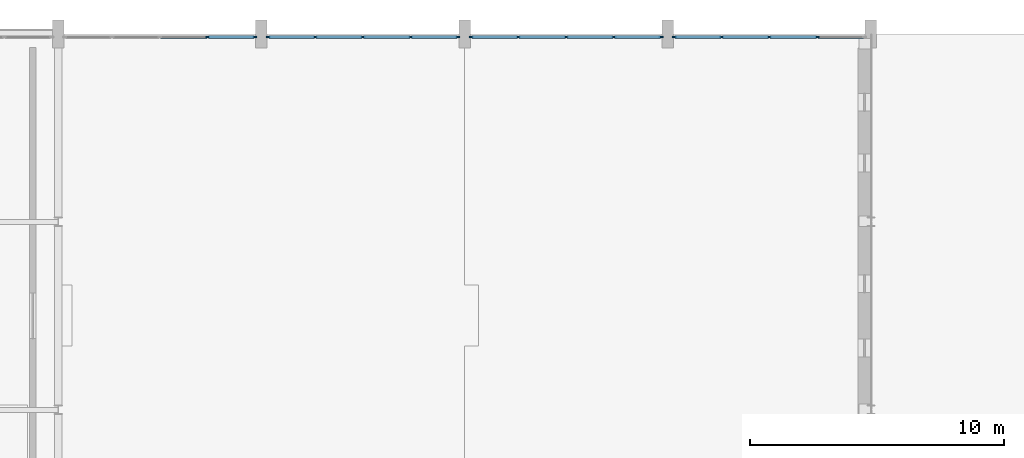
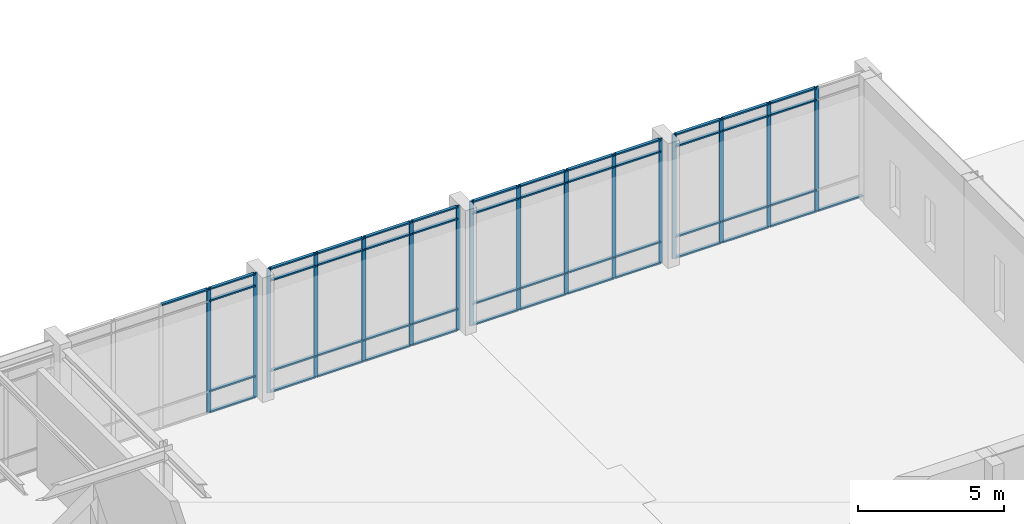
# One storey, part 23 of 48: 66 members, 4 elements without a shape of their own.
"""IFC4 building model written with IfcOpenShell, lengths in metres."""

from ifc_helpers import new_model, si_unit, direction, frame, origin, origin_2d, place, context, subcontext, project, spatial, rectangle, extrude, material, layer, layer_set, material_profile, profile_set, type_object, element, aggregate, save


model = new_model("IFC4")

# Units and contexts
model_context = context("Model", 3, precision=1e-05, world=origin(), true_north=direction((0.0, 1.0)))
body_context = subcontext(model_context, "Body", "Model", "MODEL_VIEW")
ifc_project = project(units=[si_unit("LENGTHUNIT", "METRE"), si_unit("AREAUNIT", "SQUARE_METRE"), si_unit("VOLUMEUNIT", "CUBIC_METRE"), si_unit("PLANEANGLEUNIT", "RADIAN"), si_unit("MASSUNIT", "GRAM", prefix="KILO")], contexts=[model_context])

# Site, building, storey
site_placement = place(None, origin())
site = spatial("IfcSite", under=ifc_project, at=site_placement, CompositionType="ELEMENT")
building_placement = place(site_placement, origin())
building = spatial("IfcBuilding", under=site, at=building_placement, Name="Valkorina Park Police Headquarters", CompositionType="ELEMENT")
storey_placement = place(building_placement, frame((0.0, 0.0, 18.10009765625)))
storey = spatial("IfcBuildingStorey", under=building, at=storey_placement, Name="L05", CompositionType="ELEMENT", Elevation=18.10009765625)

# Curtain wall, members
ifc_material = material(Name="Thermally broken aluminium AW-6060", Category="aluminium")
ifc_layer = layer(ifc_material, 0.18994140625)
ifc_layer_set = layer_set([ifc_layer], Name="Thermally broken aluminium AW-6060")
curtain_wall_type = type_object("IfcCurtainWallType", Name="CW-CMD-7530x5190", PredefinedType="NOTDEFINED", material=ifc_layer_set)
curtain_wall_1_placement = place(storey_placement, origin())
curtain_wall_1 = element("IfcCurtainWall", 1, at=curtain_wall_1_placement, inside=storey, type_object=curtain_wall_type, Name="L05 Unitised Curtain Wall 090", PredefinedType="NOTDEFINED")
ifc_material_profile_1 = material_profile(ifc_material, rectangle(XDim=0.06005859375, YDim=0.159912109375, at=origin_2d()), Name="CWM-01 60x160")
ifc_profile_set_1 = profile_set([ifc_material_profile_1], Name="Thermally broken aluminium AW-6060")
member_type_1 = type_object("IfcMemberType", Name="CWM-60x160", PredefinedType="MULLION", material=ifc_profile_set_1)
member_1_placement = place(storey_placement, frame((102.6826171875, 81.280029296875, 0.0), z_axis=(0.0, 0.0, 1.0), x_axis=(0.0, 1.0, 0.0)))
member_1 = element("IfcMember", 2, at=member_1_placement, type_object=member_type_1, Name="CW-CMD-753-519 mullion 4", PredefinedType="MULLION", context=body_context, shape_type="SweptSolid", body=[
    extrude(rectangle(XDim=0.06005859375, YDim=0.159912109375, at=origin_2d()), origin(), (0.0, 0.0, 1.0), 5.18994140625),
])
member_2_placement = place(storey_placement, frame((104.534912109375, 81.280029296875, 0.0), z_axis=(0.0, 0.0, 1.0), x_axis=(0.0, 1.0, 0.0)))
member_2 = element("IfcMember", 3, at=member_2_placement, type_object=member_type_1, Name="CW-CMD-753-519 mullion 5", PredefinedType="MULLION", context=body_context, shape_type="SweptSolid", body=[
    extrude(rectangle(XDim=0.06005859375, YDim=0.159912109375, at=origin_2d()), origin(), (0.0, 0.0, 1.0), 5.18994140625),
])

curtain_wall_2_placement = place(storey_placement, origin())
curtain_wall_2 = element("IfcCurtainWall", 4, at=curtain_wall_2_placement, inside=storey, type_object=curtain_wall_type, Name="L05 Unitised Curtain Wall 091", PredefinedType="NOTDEFINED")
member_3_placement = place(storey_placement, frame((105.06494140625, 81.280029296875, 0.0), z_axis=(0.0, 0.0, 1.0), x_axis=(0.0, 1.0, 0.0)))
member_3 = element("IfcMember", 5, at=member_3_placement, type_object=member_type_1, Name="CW-CMD-753-519 mullion 1", PredefinedType="MULLION", context=body_context, shape_type="SweptSolid", body=[
    extrude(rectangle(XDim=0.06005859375, YDim=0.159912109375, at=origin_2d()), origin(), (0.0, 0.0, 1.0), 5.18994140625),
])
member_4_placement = place(storey_placement, frame((106.91748046875, 81.280029296875, 0.0), z_axis=(0.0, 0.0, 1.0), x_axis=(0.0, 1.0, 0.0)))
member_4 = element("IfcMember", 6, at=member_4_placement, type_object=member_type_1, Name="CW-CMD-753-519 mullion 2", PredefinedType="MULLION", context=body_context, shape_type="SweptSolid", body=[
    extrude(rectangle(XDim=0.06005859375, YDim=0.159912109375, at=origin_2d()), origin(), (0.0, 0.0, 1.0), 5.18994140625),
])
member_5_placement = place(storey_placement, frame((108.800048828125, 81.280029296875, 0.0), z_axis=(0.0, 0.0, 1.0), x_axis=(0.0, 1.0, 0.0)))
member_5 = element("IfcMember", 7, at=member_5_placement, type_object=member_type_1, Name="CW-CMD-753-519 mullion 3", PredefinedType="MULLION", context=body_context, shape_type="SweptSolid", body=[
    extrude(rectangle(XDim=0.06005859375, YDim=0.159912109375, at=origin_2d()), origin(), (0.0, 0.0, 1.0), 5.18994140625),
])
member_6_placement = place(storey_placement, frame((110.6826171875, 81.280029296875, 0.0), z_axis=(0.0, 0.0, 1.0), x_axis=(0.0, 1.0, 0.0)))
member_6 = element("IfcMember", 8, at=member_6_placement, type_object=member_type_1, Name="CW-CMD-753-519 mullion 4", PredefinedType="MULLION", context=body_context, shape_type="SweptSolid", body=[
    extrude(rectangle(XDim=0.06005859375, YDim=0.159912109375, at=origin_2d()), origin(), (0.0, 0.0, 1.0), 5.18994140625),
])
member_7_placement = place(storey_placement, frame((112.534912109375, 81.280029296875, 0.0), z_axis=(0.0, 0.0, 1.0), x_axis=(0.0, 1.0, 0.0)))
member_7 = element("IfcMember", 9, at=member_7_placement, type_object=member_type_1, Name="CW-CMD-753-519 mullion 5", PredefinedType="MULLION", context=body_context, shape_type="SweptSolid", body=[
    extrude(rectangle(XDim=0.06005859375, YDim=0.159912109375, at=origin_2d()), origin(), (0.0, 0.0, 1.0), 5.18994140625),
])

curtain_wall_3_placement = place(storey_placement, origin())
curtain_wall_3 = element("IfcCurtainWall", 10, at=curtain_wall_3_placement, inside=storey, type_object=curtain_wall_type, Name="L05 Unitised Curtain Wall 092", PredefinedType="NOTDEFINED")
member_8_placement = place(storey_placement, frame((113.06494140625, 81.280029296875, 0.0), z_axis=(0.0, 0.0, 1.0), x_axis=(0.0, 1.0, 0.0)))
member_8 = element("IfcMember", 11, at=member_8_placement, type_object=member_type_1, Name="CW-CMD-753-519 mullion 1", PredefinedType="MULLION", context=body_context, shape_type="SweptSolid", body=[
    extrude(rectangle(XDim=0.06005859375, YDim=0.159912109375, at=origin_2d()), origin(), (0.0, 0.0, 1.0), 5.18994140625),
])
member_9_placement = place(storey_placement, frame((114.91748046875, 81.280029296875, 0.0), z_axis=(0.0, 0.0, 1.0), x_axis=(0.0, 1.0, 0.0)))
member_9 = element("IfcMember", 12, at=member_9_placement, type_object=member_type_1, Name="CW-CMD-753-519 mullion 2", PredefinedType="MULLION", context=body_context, shape_type="SweptSolid", body=[
    extrude(rectangle(XDim=0.06005859375, YDim=0.159912109375, at=origin_2d()), origin(), (0.0, 0.0, 1.0), 5.18994140625),
])
member_10_placement = place(storey_placement, frame((116.800048828125, 81.280029296875, 0.0), z_axis=(0.0, 0.0, 1.0), x_axis=(0.0, 1.0, 0.0)))
member_10 = element("IfcMember", 13, at=member_10_placement, type_object=member_type_1, Name="CW-CMD-753-519 mullion 3", PredefinedType="MULLION", context=body_context, shape_type="SweptSolid", body=[
    extrude(rectangle(XDim=0.06005859375, YDim=0.159912109375, at=origin_2d()), origin(), (0.0, 0.0, 1.0), 5.18994140625),
])
member_11_placement = place(storey_placement, frame((118.6826171875, 81.280029296875, 0.0), z_axis=(0.0, 0.0, 1.0), x_axis=(0.0, 1.0, 0.0)))
member_11 = element("IfcMember", 14, at=member_11_placement, type_object=member_type_1, Name="CW-CMD-753-519 mullion 4", PredefinedType="MULLION", context=body_context, shape_type="SweptSolid", body=[
    extrude(rectangle(XDim=0.06005859375, YDim=0.159912109375, at=origin_2d()), origin(), (0.0, 0.0, 1.0), 5.18994140625),
])
member_12_placement = place(storey_placement, frame((120.534912109375, 81.280029296875, 0.0), z_axis=(0.0, 0.0, 1.0), x_axis=(0.0, 1.0, 0.0)))
member_12 = element("IfcMember", 15, at=member_12_placement, type_object=member_type_1, Name="CW-CMD-753-519 mullion 5", PredefinedType="MULLION", context=body_context, shape_type="SweptSolid", body=[
    extrude(rectangle(XDim=0.06005859375, YDim=0.159912109375, at=origin_2d()), origin(), (0.0, 0.0, 1.0), 5.18994140625),
])

curtain_wall_4_placement = place(storey_placement, origin())
curtain_wall_4 = element("IfcCurtainWall", 16, at=curtain_wall_4_placement, inside=storey, type_object=curtain_wall_type, Name="L05 Unitised Curtain Wall 093", PredefinedType="NOTDEFINED")
member_13_placement = place(storey_placement, frame((121.06494140625, 81.280029296875, 0.0), z_axis=(0.0, 0.0, 1.0), x_axis=(0.0, 1.0, 0.0)))
member_13 = element("IfcMember", 17, at=member_13_placement, type_object=member_type_1, Name="CW-CMD-753-519 mullion 1", PredefinedType="MULLION", context=body_context, shape_type="SweptSolid", body=[
    extrude(rectangle(XDim=0.06005859375, YDim=0.159912109375, at=origin_2d()), origin(), (0.0, 0.0, 1.0), 5.18994140625),
])
member_14_placement = place(storey_placement, frame((122.91748046875, 81.280029296875, 0.0), z_axis=(0.0, 0.0, 1.0), x_axis=(0.0, 1.0, 0.0)))
member_14 = element("IfcMember", 18, at=member_14_placement, type_object=member_type_1, Name="CW-CMD-753-519 mullion 2", PredefinedType="MULLION", context=body_context, shape_type="SweptSolid", body=[
    extrude(rectangle(XDim=0.06005859375, YDim=0.159912109375, at=origin_2d()), origin(), (0.0, 0.0, 1.0), 5.18994140625),
])
member_15_placement = place(storey_placement, frame((124.800048828125, 81.280029296875, 0.0), z_axis=(0.0, 0.0, 1.0), x_axis=(0.0, 1.0, 0.0)))
member_15 = element("IfcMember", 19, at=member_15_placement, type_object=member_type_1, Name="CW-CMD-753-519 mullion 3", PredefinedType="MULLION", context=body_context, shape_type="SweptSolid", body=[
    extrude(rectangle(XDim=0.06005859375, YDim=0.159912109375, at=origin_2d()), origin(), (0.0, 0.0, 1.0), 5.18994140625),
])
member_16_placement = place(storey_placement, frame((126.6826171875, 81.280029296875, 0.0), z_axis=(0.0, 0.0, 1.0), x_axis=(0.0, 1.0, 0.0)))
member_16 = element("IfcMember", 20, at=member_16_placement, type_object=member_type_1, Name="CW-CMD-753-519 mullion 4", PredefinedType="MULLION", context=body_context, shape_type="SweptSolid", body=[
    extrude(rectangle(XDim=0.06005859375, YDim=0.159912109375, at=origin_2d()), origin(), (0.0, 0.0, 1.0), 5.18994140625),
])

# Member
ifc_material_profile_2 = material_profile(ifc_material, rectangle(XDim=0.1201171875, YDim=0.06005859375, at=origin_2d()), Name="CWT-01 120x60")
ifc_profile_set_2 = profile_set([ifc_material_profile_2], Name="Thermally broken aluminium AW-6060")
member_type_2 = type_object("IfcMemberType", Name="CWT-120x60", PredefinedType="USERDEFINED", material=ifc_profile_set_2)
member_17_placement = place(storey_placement, frame((100.830078125, 81.280029296875, 5.159912109375), z_axis=(1.0, 0.0, 0.0), x_axis=(0.0, 1.0, 0.0)))
member_17 = element("IfcMember", 21, at=member_17_placement, type_object=member_type_2, Name="CW-CMD-753-519 transom 3.4", ObjectType="TRANSOM", PredefinedType="USERDEFINED", context=body_context, shape_type="SweptSolid", body=[
    extrude(rectangle(XDim=0.1201171875, YDim=0.06005859375, at=origin_2d()), origin(), (0.0, 0.0, 1.0), 1.822509765625),
])

member_18_placement = place(storey_placement, frame((102.71240234375, 81.280029296875, 0.02978515625), z_axis=(1.0, 0.0, 0.0), x_axis=(0.0, 1.0, 0.0)))
member_18 = element("IfcMember", 22, at=member_18_placement, type_object=member_type_2, Name="CW-CMD-753-519 transom 4.1", ObjectType="TRANSOM", PredefinedType="USERDEFINED", context=body_context, shape_type="SweptSolid", body=[
    extrude(rectangle(XDim=0.1201171875, YDim=0.06005859375, at=origin_2d()), origin(), (0.0, 0.0, 1.0), 1.79248046875),
])

member_19_placement = place(storey_placement, frame((102.71240234375, 81.280029296875, 0.89990234375), z_axis=(1.0, 0.0, 0.0), x_axis=(0.0, 1.0, 0.0)))
member_19 = element("IfcMember", 23, at=member_19_placement, type_object=member_type_2, Name="CW-CMD-753-519 transom 4.2", ObjectType="TRANSOM", PredefinedType="USERDEFINED", context=body_context, shape_type="SweptSolid", body=[
    extrude(rectangle(XDim=0.1201171875, YDim=0.06005859375, at=origin_2d()), origin(), (0.0, 0.0, 1.0), 1.79248046875),
])

member_20_placement = place(storey_placement, frame((102.71240234375, 81.280029296875, 4.669921875), z_axis=(1.0, 0.0, 0.0), x_axis=(0.0, 1.0, 0.0)))
member_20 = element("IfcMember", 24, at=member_20_placement, type_object=member_type_2, Name="CW-CMD-753-519 transom 4.3", ObjectType="TRANSOM", PredefinedType="USERDEFINED", context=body_context, shape_type="SweptSolid", body=[
    extrude(rectangle(XDim=0.1201171875, YDim=0.06005859375, at=origin_2d()), origin(), (0.0, 0.0, 1.0), 1.79248046875),
])

member_21_placement = place(storey_placement, frame((102.71240234375, 81.280029296875, 5.159912109375), z_axis=(1.0, 0.0, 0.0), x_axis=(0.0, 1.0, 0.0)))
member_21 = element("IfcMember", 25, at=member_21_placement, type_object=member_type_2, Name="CW-CMD-753-519 transom 4.4", ObjectType="TRANSOM", PredefinedType="USERDEFINED", context=body_context, shape_type="SweptSolid", body=[
    extrude(rectangle(XDim=0.1201171875, YDim=0.06005859375, at=origin_2d()), origin(), (0.0, 0.0, 1.0), 1.79248046875),
])

aggregate(curtain_wall_1, [member_1, member_2, member_17, member_18, member_19, member_20, member_21])

member_22_placement = place(storey_placement, frame((105.094970703125, 81.280029296875, 0.02978515625), z_axis=(1.0, 0.0, 0.0), x_axis=(0.0, 1.0, 0.0)))
member_22 = element("IfcMember", 26, at=member_22_placement, type_object=member_type_2, Name="CW-CMD-753-519 transom 1.1", ObjectType="TRANSOM", PredefinedType="USERDEFINED", context=body_context, shape_type="SweptSolid", body=[
    extrude(rectangle(XDim=0.1201171875, YDim=0.06005859375, at=origin_2d()), origin(), (0.0, 0.0, 1.0), 1.79248046875),
])

member_23_placement = place(storey_placement, frame((105.094970703125, 81.280029296875, 0.89990234375), z_axis=(1.0, 0.0, 0.0), x_axis=(0.0, 1.0, 0.0)))
member_23 = element("IfcMember", 27, at=member_23_placement, type_object=member_type_2, Name="CW-CMD-753-519 transom 1.2", ObjectType="TRANSOM", PredefinedType="USERDEFINED", context=body_context, shape_type="SweptSolid", body=[
    extrude(rectangle(XDim=0.1201171875, YDim=0.06005859375, at=origin_2d()), origin(), (0.0, 0.0, 1.0), 1.79248046875),
])

member_24_placement = place(storey_placement, frame((105.094970703125, 81.280029296875, 4.669921875), z_axis=(1.0, 0.0, 0.0), x_axis=(0.0, 1.0, 0.0)))
member_24 = element("IfcMember", 28, at=member_24_placement, type_object=member_type_2, Name="CW-CMD-753-519 transom 1.3", ObjectType="TRANSOM", PredefinedType="USERDEFINED", context=body_context, shape_type="SweptSolid", body=[
    extrude(rectangle(XDim=0.1201171875, YDim=0.06005859375, at=origin_2d()), origin(), (0.0, 0.0, 1.0), 1.79248046875),
])

member_25_placement = place(storey_placement, frame((105.094970703125, 81.280029296875, 5.159912109375), z_axis=(1.0, 0.0, 0.0), x_axis=(0.0, 1.0, 0.0)))
member_25 = element("IfcMember", 29, at=member_25_placement, type_object=member_type_2, Name="CW-CMD-753-519 transom 1.4", ObjectType="TRANSOM", PredefinedType="USERDEFINED", context=body_context, shape_type="SweptSolid", body=[
    extrude(rectangle(XDim=0.1201171875, YDim=0.06005859375, at=origin_2d()), origin(), (0.0, 0.0, 1.0), 1.79248046875),
])

member_26_placement = place(storey_placement, frame((106.947509765625, 81.280029296875, 0.02978515625), z_axis=(1.0, 0.0, 0.0), x_axis=(0.0, 1.0, 0.0)))
member_26 = element("IfcMember", 30, at=member_26_placement, type_object=member_type_2, Name="CW-CMD-753-519 transom 2.1", ObjectType="TRANSOM", PredefinedType="USERDEFINED", context=body_context, shape_type="SweptSolid", body=[
    extrude(rectangle(XDim=0.1201171875, YDim=0.06005859375, at=origin_2d()), origin(), (0.0, 0.0, 1.0), 1.822509765625),
])

member_27_placement = place(storey_placement, frame((106.947509765625, 81.280029296875, 0.89990234375), z_axis=(1.0, 0.0, 0.0), x_axis=(0.0, 1.0, 0.0)))
member_27 = element("IfcMember", 31, at=member_27_placement, type_object=member_type_2, Name="CW-CMD-753-519 transom 2.2", ObjectType="TRANSOM", PredefinedType="USERDEFINED", context=body_context, shape_type="SweptSolid", body=[
    extrude(rectangle(XDim=0.1201171875, YDim=0.06005859375, at=origin_2d()), origin(), (0.0, 0.0, 1.0), 1.822509765625),
])

member_28_placement = place(storey_placement, frame((106.947509765625, 81.280029296875, 4.669921875), z_axis=(1.0, 0.0, 0.0), x_axis=(0.0, 1.0, 0.0)))
member_28 = element("IfcMember", 32, at=member_28_placement, type_object=member_type_2, Name="CW-CMD-753-519 transom 2.3", ObjectType="TRANSOM", PredefinedType="USERDEFINED", context=body_context, shape_type="SweptSolid", body=[
    extrude(rectangle(XDim=0.1201171875, YDim=0.06005859375, at=origin_2d()), origin(), (0.0, 0.0, 1.0), 1.822509765625),
])

member_29_placement = place(storey_placement, frame((106.947509765625, 81.280029296875, 5.159912109375), z_axis=(1.0, 0.0, 0.0), x_axis=(0.0, 1.0, 0.0)))
member_29 = element("IfcMember", 33, at=member_29_placement, type_object=member_type_2, Name="CW-CMD-753-519 transom 2.4", ObjectType="TRANSOM", PredefinedType="USERDEFINED", context=body_context, shape_type="SweptSolid", body=[
    extrude(rectangle(XDim=0.1201171875, YDim=0.06005859375, at=origin_2d()), origin(), (0.0, 0.0, 1.0), 1.822509765625),
])

member_30_placement = place(storey_placement, frame((108.830078125, 81.280029296875, 0.02978515625), z_axis=(1.0, 0.0, 0.0), x_axis=(0.0, 1.0, 0.0)))
member_30 = element("IfcMember", 34, at=member_30_placement, type_object=member_type_2, Name="CW-CMD-753-519 transom 3.1", ObjectType="TRANSOM", PredefinedType="USERDEFINED", context=body_context, shape_type="SweptSolid", body=[
    extrude(rectangle(XDim=0.1201171875, YDim=0.06005859375, at=origin_2d()), origin(), (0.0, 0.0, 1.0), 1.822509765625),
])

member_31_placement = place(storey_placement, frame((108.830078125, 81.280029296875, 0.89990234375), z_axis=(1.0, 0.0, 0.0), x_axis=(0.0, 1.0, 0.0)))
member_31 = element("IfcMember", 35, at=member_31_placement, type_object=member_type_2, Name="CW-CMD-753-519 transom 3.2", ObjectType="TRANSOM", PredefinedType="USERDEFINED", context=body_context, shape_type="SweptSolid", body=[
    extrude(rectangle(XDim=0.1201171875, YDim=0.06005859375, at=origin_2d()), origin(), (0.0, 0.0, 1.0), 1.822509765625),
])

member_32_placement = place(storey_placement, frame((108.830078125, 81.280029296875, 4.669921875), z_axis=(1.0, 0.0, 0.0), x_axis=(0.0, 1.0, 0.0)))
member_32 = element("IfcMember", 36, at=member_32_placement, type_object=member_type_2, Name="CW-CMD-753-519 transom 3.3", ObjectType="TRANSOM", PredefinedType="USERDEFINED", context=body_context, shape_type="SweptSolid", body=[
    extrude(rectangle(XDim=0.1201171875, YDim=0.06005859375, at=origin_2d()), origin(), (0.0, 0.0, 1.0), 1.822509765625),
])

member_33_placement = place(storey_placement, frame((108.830078125, 81.280029296875, 5.159912109375), z_axis=(1.0, 0.0, 0.0), x_axis=(0.0, 1.0, 0.0)))
member_33 = element("IfcMember", 37, at=member_33_placement, type_object=member_type_2, Name="CW-CMD-753-519 transom 3.4", ObjectType="TRANSOM", PredefinedType="USERDEFINED", context=body_context, shape_type="SweptSolid", body=[
    extrude(rectangle(XDim=0.1201171875, YDim=0.06005859375, at=origin_2d()), origin(), (0.0, 0.0, 1.0), 1.822509765625),
])

member_34_placement = place(storey_placement, frame((110.71240234375, 81.280029296875, 0.02978515625), z_axis=(1.0, 0.0, 0.0), x_axis=(0.0, 1.0, 0.0)))
member_34 = element("IfcMember", 38, at=member_34_placement, type_object=member_type_2, Name="CW-CMD-753-519 transom 4.1", ObjectType="TRANSOM", PredefinedType="USERDEFINED", context=body_context, shape_type="SweptSolid", body=[
    extrude(rectangle(XDim=0.1201171875, YDim=0.06005859375, at=origin_2d()), origin(), (0.0, 0.0, 1.0), 1.79248046875),
])

member_35_placement = place(storey_placement, frame((110.71240234375, 81.280029296875, 0.89990234375), z_axis=(1.0, 0.0, 0.0), x_axis=(0.0, 1.0, 0.0)))
member_35 = element("IfcMember", 39, at=member_35_placement, type_object=member_type_2, Name="CW-CMD-753-519 transom 4.2", ObjectType="TRANSOM", PredefinedType="USERDEFINED", context=body_context, shape_type="SweptSolid", body=[
    extrude(rectangle(XDim=0.1201171875, YDim=0.06005859375, at=origin_2d()), origin(), (0.0, 0.0, 1.0), 1.79248046875),
])

member_36_placement = place(storey_placement, frame((110.71240234375, 81.280029296875, 4.669921875), z_axis=(1.0, 0.0, 0.0), x_axis=(0.0, 1.0, 0.0)))
member_36 = element("IfcMember", 40, at=member_36_placement, type_object=member_type_2, Name="CW-CMD-753-519 transom 4.3", ObjectType="TRANSOM", PredefinedType="USERDEFINED", context=body_context, shape_type="SweptSolid", body=[
    extrude(rectangle(XDim=0.1201171875, YDim=0.06005859375, at=origin_2d()), origin(), (0.0, 0.0, 1.0), 1.79248046875),
])

member_37_placement = place(storey_placement, frame((110.71240234375, 81.280029296875, 5.159912109375), z_axis=(1.0, 0.0, 0.0), x_axis=(0.0, 1.0, 0.0)))
member_37 = element("IfcMember", 41, at=member_37_placement, type_object=member_type_2, Name="CW-CMD-753-519 transom 4.4", ObjectType="TRANSOM", PredefinedType="USERDEFINED", context=body_context, shape_type="SweptSolid", body=[
    extrude(rectangle(XDim=0.1201171875, YDim=0.06005859375, at=origin_2d()), origin(), (0.0, 0.0, 1.0), 1.79248046875),
])

aggregate(curtain_wall_2, [member_3, member_4, member_5, member_6, member_7, member_22, member_23, member_24, member_25, member_26, member_27, member_28, member_29, member_30, member_31, member_32, member_33, member_34, member_35, member_36, member_37])

member_38_placement = place(storey_placement, frame((113.094970703125, 81.280029296875, 0.02978515625), z_axis=(1.0, 0.0, 0.0), x_axis=(0.0, 1.0, 0.0)))
member_38 = element("IfcMember", 42, at=member_38_placement, type_object=member_type_2, Name="CW-CMD-753-519 transom 1.1", ObjectType="TRANSOM", PredefinedType="USERDEFINED", context=body_context, shape_type="SweptSolid", body=[
    extrude(rectangle(XDim=0.1201171875, YDim=0.06005859375, at=origin_2d()), origin(), (0.0, 0.0, 1.0), 1.79248046875),
])

member_39_placement = place(storey_placement, frame((113.094970703125, 81.280029296875, 0.89990234375), z_axis=(1.0, 0.0, 0.0), x_axis=(0.0, 1.0, 0.0)))
member_39 = element("IfcMember", 43, at=member_39_placement, type_object=member_type_2, Name="CW-CMD-753-519 transom 1.2", ObjectType="TRANSOM", PredefinedType="USERDEFINED", context=body_context, shape_type="SweptSolid", body=[
    extrude(rectangle(XDim=0.1201171875, YDim=0.06005859375, at=origin_2d()), origin(), (0.0, 0.0, 1.0), 1.79248046875),
])

member_40_placement = place(storey_placement, frame((113.094970703125, 81.280029296875, 4.669921875), z_axis=(1.0, 0.0, 0.0), x_axis=(0.0, 1.0, 0.0)))
member_40 = element("IfcMember", 44, at=member_40_placement, type_object=member_type_2, Name="CW-CMD-753-519 transom 1.3", ObjectType="TRANSOM", PredefinedType="USERDEFINED", context=body_context, shape_type="SweptSolid", body=[
    extrude(rectangle(XDim=0.1201171875, YDim=0.06005859375, at=origin_2d()), origin(), (0.0, 0.0, 1.0), 1.79248046875),
])

member_41_placement = place(storey_placement, frame((113.094970703125, 81.280029296875, 5.159912109375), z_axis=(1.0, 0.0, 0.0), x_axis=(0.0, 1.0, 0.0)))
member_41 = element("IfcMember", 45, at=member_41_placement, type_object=member_type_2, Name="CW-CMD-753-519 transom 1.4", ObjectType="TRANSOM", PredefinedType="USERDEFINED", context=body_context, shape_type="SweptSolid", body=[
    extrude(rectangle(XDim=0.1201171875, YDim=0.06005859375, at=origin_2d()), origin(), (0.0, 0.0, 1.0), 1.79248046875),
])

member_42_placement = place(storey_placement, frame((114.947509765625, 81.280029296875, 0.02978515625), z_axis=(1.0, 0.0, 0.0), x_axis=(0.0, 1.0, 0.0)))
member_42 = element("IfcMember", 46, at=member_42_placement, type_object=member_type_2, Name="CW-CMD-753-519 transom 2.1", ObjectType="TRANSOM", PredefinedType="USERDEFINED", context=body_context, shape_type="SweptSolid", body=[
    extrude(rectangle(XDim=0.1201171875, YDim=0.06005859375, at=origin_2d()), origin(), (0.0, 0.0, 1.0), 1.822509765625),
])

member_43_placement = place(storey_placement, frame((114.947509765625, 81.280029296875, 0.89990234375), z_axis=(1.0, 0.0, 0.0), x_axis=(0.0, 1.0, 0.0)))
member_43 = element("IfcMember", 47, at=member_43_placement, type_object=member_type_2, Name="CW-CMD-753-519 transom 2.2", ObjectType="TRANSOM", PredefinedType="USERDEFINED", context=body_context, shape_type="SweptSolid", body=[
    extrude(rectangle(XDim=0.1201171875, YDim=0.06005859375, at=origin_2d()), origin(), (0.0, 0.0, 1.0), 1.822509765625),
])

member_44_placement = place(storey_placement, frame((114.947509765625, 81.280029296875, 4.669921875), z_axis=(1.0, 0.0, 0.0), x_axis=(0.0, 1.0, 0.0)))
member_44 = element("IfcMember", 48, at=member_44_placement, type_object=member_type_2, Name="CW-CMD-753-519 transom 2.3", ObjectType="TRANSOM", PredefinedType="USERDEFINED", context=body_context, shape_type="SweptSolid", body=[
    extrude(rectangle(XDim=0.1201171875, YDim=0.06005859375, at=origin_2d()), origin(), (0.0, 0.0, 1.0), 1.822509765625),
])

member_45_placement = place(storey_placement, frame((114.947509765625, 81.280029296875, 5.159912109375), z_axis=(1.0, 0.0, 0.0), x_axis=(0.0, 1.0, 0.0)))
member_45 = element("IfcMember", 49, at=member_45_placement, type_object=member_type_2, Name="CW-CMD-753-519 transom 2.4", ObjectType="TRANSOM", PredefinedType="USERDEFINED", context=body_context, shape_type="SweptSolid", body=[
    extrude(rectangle(XDim=0.1201171875, YDim=0.06005859375, at=origin_2d()), origin(), (0.0, 0.0, 1.0), 1.822509765625),
])

member_46_placement = place(storey_placement, frame((116.830078125, 81.280029296875, 0.02978515625), z_axis=(1.0, 0.0, 0.0), x_axis=(0.0, 1.0, 0.0)))
member_46 = element("IfcMember", 50, at=member_46_placement, type_object=member_type_2, Name="CW-CMD-753-519 transom 3.1", ObjectType="TRANSOM", PredefinedType="USERDEFINED", context=body_context, shape_type="SweptSolid", body=[
    extrude(rectangle(XDim=0.1201171875, YDim=0.06005859375, at=origin_2d()), origin(), (0.0, 0.0, 1.0), 1.822509765625),
])

member_47_placement = place(storey_placement, frame((116.830078125, 81.280029296875, 0.89990234375), z_axis=(1.0, 0.0, 0.0), x_axis=(0.0, 1.0, 0.0)))
member_47 = element("IfcMember", 51, at=member_47_placement, type_object=member_type_2, Name="CW-CMD-753-519 transom 3.2", ObjectType="TRANSOM", PredefinedType="USERDEFINED", context=body_context, shape_type="SweptSolid", body=[
    extrude(rectangle(XDim=0.1201171875, YDim=0.06005859375, at=origin_2d()), origin(), (0.0, 0.0, 1.0), 1.822509765625),
])

member_48_placement = place(storey_placement, frame((116.830078125, 81.280029296875, 4.669921875), z_axis=(1.0, 0.0, 0.0), x_axis=(0.0, 1.0, 0.0)))
member_48 = element("IfcMember", 52, at=member_48_placement, type_object=member_type_2, Name="CW-CMD-753-519 transom 3.3", ObjectType="TRANSOM", PredefinedType="USERDEFINED", context=body_context, shape_type="SweptSolid", body=[
    extrude(rectangle(XDim=0.1201171875, YDim=0.06005859375, at=origin_2d()), origin(), (0.0, 0.0, 1.0), 1.822509765625),
])

member_49_placement = place(storey_placement, frame((116.830078125, 81.280029296875, 5.159912109375), z_axis=(1.0, 0.0, 0.0), x_axis=(0.0, 1.0, 0.0)))
member_49 = element("IfcMember", 53, at=member_49_placement, type_object=member_type_2, Name="CW-CMD-753-519 transom 3.4", ObjectType="TRANSOM", PredefinedType="USERDEFINED", context=body_context, shape_type="SweptSolid", body=[
    extrude(rectangle(XDim=0.1201171875, YDim=0.06005859375, at=origin_2d()), origin(), (0.0, 0.0, 1.0), 1.822509765625),
])

member_50_placement = place(storey_placement, frame((118.71240234375, 81.280029296875, 0.02978515625), z_axis=(1.0, 0.0, 0.0), x_axis=(0.0, 1.0, 0.0)))
member_50 = element("IfcMember", 54, at=member_50_placement, type_object=member_type_2, Name="CW-CMD-753-519 transom 4.1", ObjectType="TRANSOM", PredefinedType="USERDEFINED", context=body_context, shape_type="SweptSolid", body=[
    extrude(rectangle(XDim=0.1201171875, YDim=0.06005859375, at=origin_2d()), origin(), (0.0, 0.0, 1.0), 1.79248046875),
])

member_51_placement = place(storey_placement, frame((118.71240234375, 81.280029296875, 0.89990234375), z_axis=(1.0, 0.0, 0.0), x_axis=(0.0, 1.0, 0.0)))
member_51 = element("IfcMember", 55, at=member_51_placement, type_object=member_type_2, Name="CW-CMD-753-519 transom 4.2", ObjectType="TRANSOM", PredefinedType="USERDEFINED", context=body_context, shape_type="SweptSolid", body=[
    extrude(rectangle(XDim=0.1201171875, YDim=0.06005859375, at=origin_2d()), origin(), (0.0, 0.0, 1.0), 1.79248046875),
])

member_52_placement = place(storey_placement, frame((118.71240234375, 81.280029296875, 4.669921875), z_axis=(1.0, 0.0, 0.0), x_axis=(0.0, 1.0, 0.0)))
member_52 = element("IfcMember", 56, at=member_52_placement, type_object=member_type_2, Name="CW-CMD-753-519 transom 4.3", ObjectType="TRANSOM", PredefinedType="USERDEFINED", context=body_context, shape_type="SweptSolid", body=[
    extrude(rectangle(XDim=0.1201171875, YDim=0.06005859375, at=origin_2d()), origin(), (0.0, 0.0, 1.0), 1.79248046875),
])

member_53_placement = place(storey_placement, frame((118.71240234375, 81.280029296875, 5.159912109375), z_axis=(1.0, 0.0, 0.0), x_axis=(0.0, 1.0, 0.0)))
member_53 = element("IfcMember", 57, at=member_53_placement, type_object=member_type_2, Name="CW-CMD-753-519 transom 4.4", ObjectType="TRANSOM", PredefinedType="USERDEFINED", context=body_context, shape_type="SweptSolid", body=[
    extrude(rectangle(XDim=0.1201171875, YDim=0.06005859375, at=origin_2d()), origin(), (0.0, 0.0, 1.0), 1.79248046875),
])

aggregate(curtain_wall_3, [member_8, member_9, member_10, member_11, member_12, member_38, member_39, member_40, member_41, member_42, member_43, member_44, member_45, member_46, member_47, member_48, member_49, member_50, member_51, member_52, member_53])

member_54_placement = place(storey_placement, frame((121.094970703125, 81.280029296875, 0.02978515625), z_axis=(1.0, 0.0, 0.0), x_axis=(0.0, 1.0, 0.0)))
member_54 = element("IfcMember", 58, at=member_54_placement, type_object=member_type_2, Name="CW-CMD-753-519 transom 1.1", ObjectType="TRANSOM", PredefinedType="USERDEFINED", context=body_context, shape_type="SweptSolid", body=[
    extrude(rectangle(XDim=0.1201171875, YDim=0.06005859375, at=origin_2d()), origin(), (0.0, 0.0, 1.0), 1.79248046875),
])

member_55_placement = place(storey_placement, frame((121.094970703125, 81.280029296875, 0.89990234375), z_axis=(1.0, 0.0, 0.0), x_axis=(0.0, 1.0, 0.0)))
member_55 = element("IfcMember", 59, at=member_55_placement, type_object=member_type_2, Name="CW-CMD-753-519 transom 1.2", ObjectType="TRANSOM", PredefinedType="USERDEFINED", context=body_context, shape_type="SweptSolid", body=[
    extrude(rectangle(XDim=0.1201171875, YDim=0.06005859375, at=origin_2d()), origin(), (0.0, 0.0, 1.0), 1.79248046875),
])

member_56_placement = place(storey_placement, frame((121.094970703125, 81.280029296875, 4.669921875), z_axis=(1.0, 0.0, 0.0), x_axis=(0.0, 1.0, 0.0)))
member_56 = element("IfcMember", 60, at=member_56_placement, type_object=member_type_2, Name="CW-CMD-753-519 transom 1.3", ObjectType="TRANSOM", PredefinedType="USERDEFINED", context=body_context, shape_type="SweptSolid", body=[
    extrude(rectangle(XDim=0.1201171875, YDim=0.06005859375, at=origin_2d()), origin(), (0.0, 0.0, 1.0), 1.79248046875),
])

member_57_placement = place(storey_placement, frame((121.094970703125, 81.280029296875, 5.159912109375), z_axis=(1.0, 0.0, 0.0), x_axis=(0.0, 1.0, 0.0)))
member_57 = element("IfcMember", 61, at=member_57_placement, type_object=member_type_2, Name="CW-CMD-753-519 transom 1.4", ObjectType="TRANSOM", PredefinedType="USERDEFINED", context=body_context, shape_type="SweptSolid", body=[
    extrude(rectangle(XDim=0.1201171875, YDim=0.06005859375, at=origin_2d()), origin(), (0.0, 0.0, 1.0), 1.79248046875),
])

member_58_placement = place(storey_placement, frame((122.947509765625, 81.280029296875, 0.02978515625), z_axis=(1.0, 0.0, 0.0), x_axis=(0.0, 1.0, 0.0)))
member_58 = element("IfcMember", 62, at=member_58_placement, type_object=member_type_2, Name="CW-CMD-753-519 transom 2.1", ObjectType="TRANSOM", PredefinedType="USERDEFINED", context=body_context, shape_type="SweptSolid", body=[
    extrude(rectangle(XDim=0.1201171875, YDim=0.06005859375, at=origin_2d()), origin(), (0.0, 0.0, 1.0), 1.822509765625),
])

member_59_placement = place(storey_placement, frame((122.947509765625, 81.280029296875, 0.89990234375), z_axis=(1.0, 0.0, 0.0), x_axis=(0.0, 1.0, 0.0)))
member_59 = element("IfcMember", 63, at=member_59_placement, type_object=member_type_2, Name="CW-CMD-753-519 transom 2.2", ObjectType="TRANSOM", PredefinedType="USERDEFINED", context=body_context, shape_type="SweptSolid", body=[
    extrude(rectangle(XDim=0.1201171875, YDim=0.06005859375, at=origin_2d()), origin(), (0.0, 0.0, 1.0), 1.822509765625),
])

member_60_placement = place(storey_placement, frame((122.947509765625, 81.280029296875, 4.669921875), z_axis=(1.0, 0.0, 0.0), x_axis=(0.0, 1.0, 0.0)))
member_60 = element("IfcMember", 64, at=member_60_placement, type_object=member_type_2, Name="CW-CMD-753-519 transom 2.3", ObjectType="TRANSOM", PredefinedType="USERDEFINED", context=body_context, shape_type="SweptSolid", body=[
    extrude(rectangle(XDim=0.1201171875, YDim=0.06005859375, at=origin_2d()), origin(), (0.0, 0.0, 1.0), 1.822509765625),
])

member_61_placement = place(storey_placement, frame((122.947509765625, 81.280029296875, 5.159912109375), z_axis=(1.0, 0.0, 0.0), x_axis=(0.0, 1.0, 0.0)))
member_61 = element("IfcMember", 65, at=member_61_placement, type_object=member_type_2, Name="CW-CMD-753-519 transom 2.4", ObjectType="TRANSOM", PredefinedType="USERDEFINED", context=body_context, shape_type="SweptSolid", body=[
    extrude(rectangle(XDim=0.1201171875, YDim=0.06005859375, at=origin_2d()), origin(), (0.0, 0.0, 1.0), 1.822509765625),
])

member_62_placement = place(storey_placement, frame((124.830078125, 81.280029296875, 0.02978515625), z_axis=(1.0, 0.0, 0.0), x_axis=(0.0, 1.0, 0.0)))
member_62 = element("IfcMember", 66, at=member_62_placement, type_object=member_type_2, Name="CW-CMD-753-519 transom 3.1", ObjectType="TRANSOM", PredefinedType="USERDEFINED", context=body_context, shape_type="SweptSolid", body=[
    extrude(rectangle(XDim=0.1201171875, YDim=0.06005859375, at=origin_2d()), origin(), (0.0, 0.0, 1.0), 1.822509765625),
])

member_63_placement = place(storey_placement, frame((124.830078125, 81.280029296875, 0.89990234375), z_axis=(1.0, 0.0, 0.0), x_axis=(0.0, 1.0, 0.0)))
member_63 = element("IfcMember", 67, at=member_63_placement, type_object=member_type_2, Name="CW-CMD-753-519 transom 3.2", ObjectType="TRANSOM", PredefinedType="USERDEFINED", context=body_context, shape_type="SweptSolid", body=[
    extrude(rectangle(XDim=0.1201171875, YDim=0.06005859375, at=origin_2d()), origin(), (0.0, 0.0, 1.0), 1.822509765625),
])

member_64_placement = place(storey_placement, frame((124.830078125, 81.280029296875, 4.669921875), z_axis=(1.0, 0.0, 0.0), x_axis=(0.0, 1.0, 0.0)))
member_64 = element("IfcMember", 68, at=member_64_placement, type_object=member_type_2, Name="CW-CMD-753-519 transom 3.3", ObjectType="TRANSOM", PredefinedType="USERDEFINED", context=body_context, shape_type="SweptSolid", body=[
    extrude(rectangle(XDim=0.1201171875, YDim=0.06005859375, at=origin_2d()), origin(), (0.0, 0.0, 1.0), 1.822509765625),
])

member_65_placement = place(storey_placement, frame((124.830078125, 81.280029296875, 5.159912109375), z_axis=(1.0, 0.0, 0.0), x_axis=(0.0, 1.0, 0.0)))
member_65 = element("IfcMember", 69, at=member_65_placement, type_object=member_type_2, Name="CW-CMD-753-519 transom 3.4", ObjectType="TRANSOM", PredefinedType="USERDEFINED", context=body_context, shape_type="SweptSolid", body=[
    extrude(rectangle(XDim=0.1201171875, YDim=0.06005859375, at=origin_2d()), origin(), (0.0, 0.0, 1.0), 1.822509765625),
])

member_66_placement = place(storey_placement, frame((126.71240234375, 81.280029296875, 0.02978515625), z_axis=(1.0, 0.0, 0.0), x_axis=(0.0, 1.0, 0.0)))
member_66 = element("IfcMember", 70, at=member_66_placement, type_object=member_type_2, Name="CW-CMD-753-519 transom 4.1", ObjectType="TRANSOM", PredefinedType="USERDEFINED", context=body_context, shape_type="SweptSolid", body=[
    extrude(rectangle(XDim=0.1201171875, YDim=0.06005859375, at=origin_2d()), origin(), (0.0, 0.0, 1.0), 1.79248046875),
])

aggregate(curtain_wall_4, [member_13, member_14, member_15, member_16, member_54, member_55, member_56, member_57, member_58, member_59, member_60, member_61, member_62, member_63, member_64, member_65, member_66])

save(model, "model.ifc")
